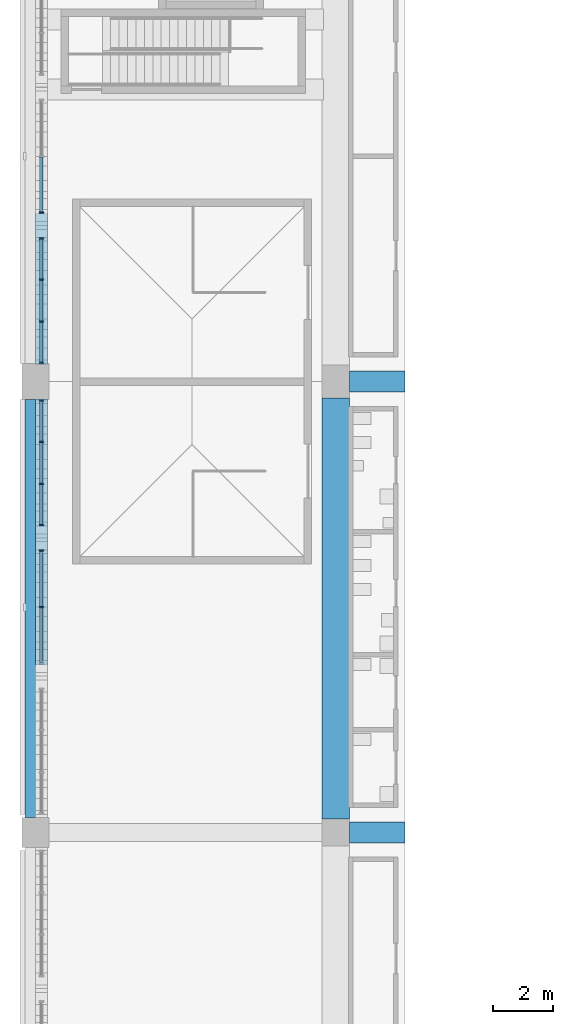
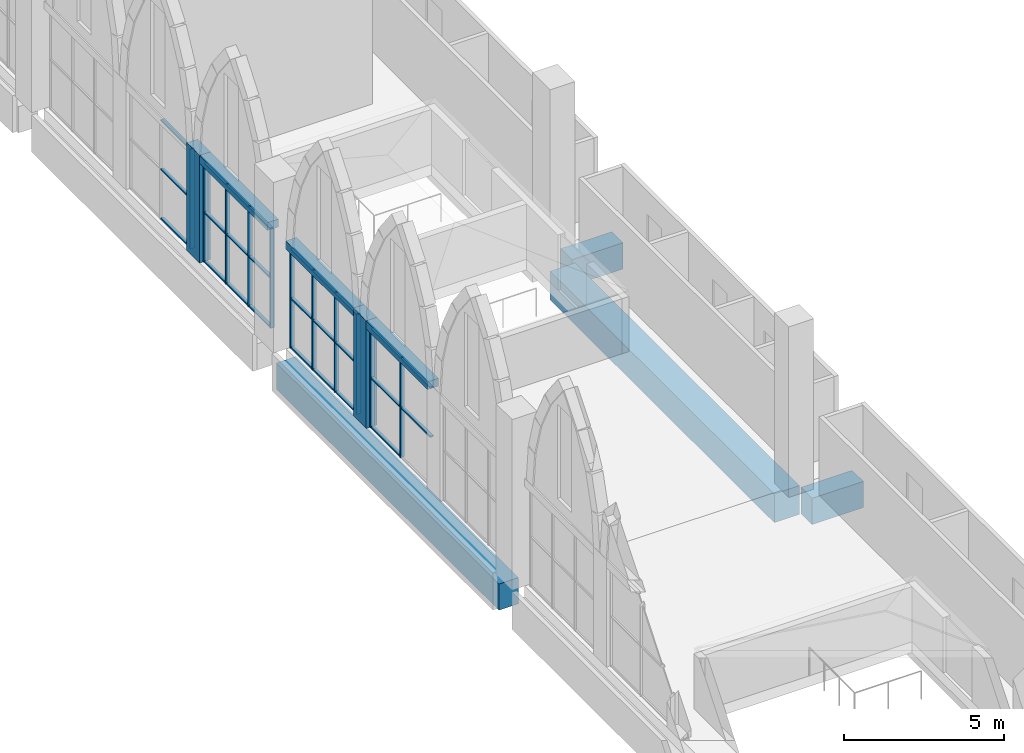
# One storey, part 14 of 130: 39 members, 7 beams, 4 elements without a shape of their own.
"""IFC4 building model written with IfcOpenShell, lengths in metres."""

import ifcopenshell
import ifcopenshell.guid

model = None  # the IFC model being written
_history = None  # IfcOwnerHistory: only IFC2X3 demands one
_inside = {}  # id of a spatial element -> (the spatial element, [elements in it])
_under = {}  # id of a project, library or spatial element -> (it, [spatial elements below it])
_declared = {}  # id of a project -> (the project, [libraries it declares])
_typed = {}  # id of a type object -> (the type object, [elements of that type])
_made_of = {}  # id of a material, layer set ... -> (it, [elements and type objects made of it])


def new_model(schema):
    """Start an empty IFC model of exactly this schema.

    Asked for "IFC4X3", IfcOpenShell would pick the latest addendum, in which some entities
    have other attributes; the version numbers below select the first issue.
    IFC2X3 requires an IfcOwnerHistory on every rooted entity: one is made here for all.
    """
    global model, _history
    if schema == "IFC4X3":
        model = ifcopenshell.file(schema_version=(4, 3, 0, 0))
    else:
        model = ifcopenshell.file(schema=schema)
    _inside.clear()
    _under.clear()
    _declared.clear()
    _typed.clear()
    _made_of.clear()
    _history = None
    if model.schema == "IFC2X3":
        org = make("IfcOrganization", Name="unknown")
        user = make(
            "IfcPersonAndOrganization",
            ThePerson=make("IfcPerson", FamilyName="unknown"),
            TheOrganization=org,
        )
        app = make(
            "IfcApplication",
            ApplicationDeveloper=org,
            Version="unknown",
            ApplicationFullName="unknown",
            ApplicationIdentifier="unknown",
        )
        _history = make(
            "IfcOwnerHistory",
            OwningUser=user,
            OwningApplication=app,
            ChangeAction="ADDED",
            CreationDate=0,
        )
    return model


def make(cls, **values):
    """One entity of the class cls with the attributes given. An attribute that is None is left unset."""
    return model.create_entity(
        cls, **{name: value for name, value in values.items() if value is not None}
    )


def rooted(cls, **values):
    """An entity with a GlobalId (a new one), such as an element, a storey or a relation."""
    return make(cls, GlobalId=ifcopenshell.guid.new(), OwnerHistory=_history, **values)


def si_unit(unit_type, name, prefix=None):
    """IfcSIUnit, for example si_unit("LENGTHUNIT", "METRE", prefix="MILLI")."""
    return make("IfcSIUnit", UnitType=unit_type, Prefix=prefix, Name=name)


def assignment(units):
    """IfcUnitAssignment: the units of a project."""
    return None if units is None else make("IfcUnitAssignment", Units=units)


def point(xyz):
    """IfcCartesianPoint."""
    return None if xyz is None else make("IfcCartesianPoint", Coordinates=xyz)


def direction(xyz):
    """IfcDirection."""
    return None if xyz is None else make("IfcDirection", DirectionRatios=xyz)


def frame(location, z_axis=None, x_axis=None):
    """IfcAxis2Placement3D, a coordinate frame: its origin and axes. An axis left out is left unset."""
    return make(
        "IfcAxis2Placement3D",
        Location=point(location),
        Axis=direction(z_axis),
        RefDirection=direction(x_axis),
    )


def frame_2d(location, x_axis=None):
    """IfcAxis2Placement2D, a coordinate frame in the plane: its origin and x axis."""
    return make(
        "IfcAxis2Placement2D", Location=point(location), RefDirection=direction(x_axis)
    )


def origin():
    """The frame at (0, 0, 0) with its axes left unset."""
    return frame((0.0, 0.0, 0.0))


def origin_2d():
    """The frame at (0, 0) in the plane with its x axis left unset."""
    return frame_2d((0.0, 0.0))


def place(relative_to, where):
    """IfcLocalPlacement: puts the frame where relative to a parent placement (None: the world)."""
    return make(
        "IfcLocalPlacement", PlacementRelTo=relative_to, RelativePlacement=where
    )


def context(
    kind, dimensions, precision=None, world=None, true_north=None, identifier=None
):
    """IfcGeometricRepresentationContext, for example the 3D "Model" context."""
    return make(
        "IfcGeometricRepresentationContext",
        ContextIdentifier=identifier,
        ContextType=kind,
        CoordinateSpaceDimension=dimensions,
        Precision=precision,
        WorldCoordinateSystem=world,
        TrueNorth=true_north,
    )


def subcontext(parent, identifier, kind, view, scale=None):
    """IfcGeometricRepresentationSubContext, for example "Body" below "Model"."""
    return make(
        "IfcGeometricRepresentationSubContext",
        ContextIdentifier=identifier,
        ContextType=kind,
        ParentContext=parent,
        TargetScale=scale,
        TargetView=view,
    )


def project(units=None, contexts=None):
    """IfcProject with its units and contexts."""
    return rooted(
        "IfcProject",
        Name="project",
        RepresentationContexts=contexts,
        UnitsInContext=assignment(units),
    )


def spatial(cls, under=None, at=None, **own):
    """A site, building, storey or space (cls), placed at a placement, below another one or the project."""
    s = rooted(cls, ObjectPlacement=at, **own)
    if under is not None:
        _under.setdefault(under.id(), (under, []))[1].append(s)
    return s


def profile(cls, at=None, kind="AREA", **sizes):
    """A parametric profile (cls). Its sizes go by their IFC names, for example OverallWidth=200.0."""
    return make(cls, ProfileType=kind, Position=at, **sizes)


def rectangle(**sizes):
    """IfcRectangleProfileDef."""
    return profile("IfcRectangleProfileDef", **sizes)


def extrude(swept, where, along, depth):
    """IfcExtrudedAreaSolid: the profile swept, set in the frame where, extruded along a direction by depth."""
    return make(
        "IfcExtrudedAreaSolid",
        SweptArea=swept,
        Position=where,
        ExtrudedDirection=direction(along),
        Depth=depth,
    )


def shape(context_of_items, identifier, shape_type, items):
    """IfcShapeRepresentation: the items that make up one representation, for example the "Body"."""
    return make(
        "IfcShapeRepresentation",
        ContextOfItems=context_of_items,
        RepresentationIdentifier=identifier,
        RepresentationType=shape_type,
        Items=items,
    )


def material(Name=None, Category=None):
    """IfcMaterial."""
    return make("IfcMaterial", Name=Name, Category=Category)


def material_profile(
    of_material, cross_section, Name=None, Category=None, Priority=None
):
    """IfcMaterialProfile: a cross section and its material."""
    return make(
        "IfcMaterialProfile",
        Name=Name,
        Material=of_material,
        Profile=cross_section,
        Priority=Priority,
        Category=Category,
    )


def profile_set(profiles, Name=None, composite=None):
    """IfcMaterialProfileSet."""
    return make(
        "IfcMaterialProfileSet",
        Name=Name,
        MaterialProfiles=profiles,
        CompositeProfile=composite,
    )


def made_of(thing, what):
    """Note that an element or type object is made of a material, layer set ...; save() writes the relation."""
    if what is not None:
        _made_of.setdefault(what.id(), (what, []))[1].append(thing)
    return thing


def type_object(cls, material=None, **own):
    """A type object (cls), such as IfcWallType, which elements share."""
    return made_of(rooted(cls, **own), material)


def element(
    cls,
    number,
    at=None,
    inside=None,
    cuts=None,
    type_object=None,
    material=None,
    context=None,
    identifier="Body",
    shape_type=None,
    held_by="IfcProductDefinitionShape",
    body=None,
    shapes=None,
    **own,
):
    """One element of the class cls, such as IfcWall. Its Tag is "e" and its number.

    at: its placement. inside: the storey or other place that contains it. cuts: it is an
    opening in that element (IfcRelVoidsElement). A single representation is given by context,
    identifier, shape_type and body (its items); several are given by shapes. held_by: the class
    of the entity that holds the representations. save() writes the other relations.
    """
    e = rooted(cls, Tag="e%d" % number, ObjectPlacement=at, **own)
    if body is not None:
        shapes = [shape(context, identifier, shape_type, body)]
    if shapes is not None:
        e.Representation = make(held_by, Representations=shapes)
    if inside is not None:
        _inside.setdefault(inside.id(), (inside, []))[1].append(e)
    if cuts is not None:
        rooted(
            "IfcRelVoidsElement", RelatingBuildingElement=cuts, RelatedOpeningElement=e
        )
    if type_object is not None:
        _typed.setdefault(type_object.id(), (type_object, []))[1].append(e)
    return made_of(e, material)


def aggregate(whole, parts):
    """IfcRelAggregates: a whole, such as a stair, and the parts it consists of."""
    return rooted("IfcRelAggregates", RelatingObject=whole, RelatedObjects=parts)


def save(model, path):
    """Write the relations noted so far, then the file.

    IfcRelAggregates (storeys below a building ...), IfcRelContainedInSpatialStructure (elements
    in a storey), IfcRelDefinesByType, IfcRelAssociatesMaterial and IfcRelDeclares: one each for
    every whole, place, type object, material and project.
    """
    for whole, parts in _under.values():
        aggregate(whole, parts)
    for where, things in _inside.values():
        rooted(
            "IfcRelContainedInSpatialStructure",
            RelatedElements=things,
            RelatingStructure=where,
        )
    for kind, things in _typed.values():
        rooted("IfcRelDefinesByType", RelatedObjects=things, RelatingType=kind)
    for what, things in _made_of.values():
        rooted("IfcRelAssociatesMaterial", RelatedObjects=things, RelatingMaterial=what)
    for by, libraries in _declared.values():
        rooted("IfcRelDeclares", RelatingContext=by, RelatedDefinitions=libraries)
    model.write(path)


model = new_model("IFC4")

# Units and contexts
model_context = context("Model", 3, precision=1e-05, world=origin(), true_north=direction((0.0, 1.0)))
body_context = subcontext(model_context, "Body", "Model", "MODEL_VIEW")
ifc_project = project(units=[si_unit("LENGTHUNIT", "METRE"), si_unit("AREAUNIT", "SQUARE_METRE"), si_unit("VOLUMEUNIT", "CUBIC_METRE"), si_unit("PLANEANGLEUNIT", "RADIAN"), si_unit("MASSUNIT", "GRAM", prefix="KILO")], contexts=[model_context])

# Site, building, storey
site_placement = place(None, origin())
site = spatial("IfcSite", under=ifc_project, at=site_placement, CompositionType="ELEMENT")
building_placement = place(site_placement, origin())
building = spatial("IfcBuilding", under=site, at=building_placement, Name="Ogive Plaza Stadium", CompositionType="ELEMENT")
storey_placement = place(building_placement, frame((0.0, 0.0, 22.5)))
storey = spatial("IfcBuildingStorey", under=building, at=storey_placement, Name="L05", CompositionType="ELEMENT", Elevation=22.5)

# Curtain wall, members
ifc_material_1 = material(Name="Bronze-anodised aluminium with laminated glass", Category="aluminium")
curtain_wall_type = type_object("IfcCurtainWallType", Name="Lancet curtain wall", PredefinedType="NOTDEFINED", material=ifc_material_1)
curtain_wall_1_placement = place(storey_placement, origin())
curtain_wall_1 = element("IfcCurtainWall", 1, at=curtain_wall_1_placement, inside=storey, type_object=curtain_wall_type, Name="CURTAIN WALL B23 L05", PredefinedType="NOTDEFINED")
ifc_material_2 = material(Name="Bronze-anodised aluminium", Category="aluminium")
ifc_material_profile_1 = material_profile(ifc_material_2, rectangle(XDim=0.14990234375, YDim=0.050048828125, at=origin_2d()), Name="AL 150x50")
ifc_profile_set_1 = profile_set([ifc_material_profile_1], Name="Bronze-anodised aluminium")
member_type_1 = type_object("IfcMemberType", Name="Curtain wall mullion 50x150", PredefinedType="MULLION", material=ifc_profile_set_1)
member_1_placement = place(storey_placement, frame((-83.800048828125, -15.0, 0.0), z_axis=(0.0, 0.0, 1.0), x_axis=(-1.0, 0.0, 0.0)))
member_1 = element("IfcMember", 2, at=member_1_placement, type_object=member_type_1, Name="CW-B23-L05.2 mullion 2", PredefinedType="MULLION", context=body_context, shape_type="SweptSolid", body=[
    extrude(rectangle(XDim=0.14990234375, YDim=0.050048828125, at=origin_2d()), origin(), (0.0, 0.0, 1.0), 3.800048828125),
])
member_2_placement = place(storey_placement, frame((-83.800048828125, -13.125, 0.0), z_axis=(0.0, 0.0, 1.0), x_axis=(-1.0, 0.0, 0.0)))
member_2 = element("IfcMember", 3, at=member_2_placement, type_object=member_type_1, Name="CW-B23-L05.2 mullion 3", PredefinedType="MULLION", context=body_context, shape_type="SweptSolid", body=[
    extrude(rectangle(XDim=0.14990234375, YDim=0.050048828125, at=origin_2d()), origin(), (0.0, 0.0, 1.0), 3.800048828125),
])

curtain_wall_2_placement = place(storey_placement, origin())
curtain_wall_2 = element("IfcCurtainWall", 4, at=curtain_wall_2_placement, inside=storey, type_object=curtain_wall_type, Name="CURTAIN WALL B23 L05", PredefinedType="NOTDEFINED")
member_3_placement = place(storey_placement, frame((-83.800048828125, -12.27490234375, 0.0), z_axis=(0.0, 0.0, 1.0), x_axis=(-1.0, 0.0, 0.0)))
member_3 = element("IfcMember", 5, at=member_3_placement, type_object=member_type_1, Name="CW-B23-L05.3 mullion 1", PredefinedType="MULLION", context=body_context, shape_type="SweptSolid", body=[
    extrude(rectangle(XDim=0.14990234375, YDim=0.050048828125, at=origin_2d()), origin(), (0.0, 0.0, 1.0), 3.800048828125),
])
member_4_placement = place(storey_placement, frame((-83.800048828125, -10.89990234375, 0.0), z_axis=(0.0, 0.0, 1.0), x_axis=(-1.0, 0.0, 0.0)))
member_4 = element("IfcMember", 6, at=member_4_placement, type_object=member_type_1, Name="CW-B23-L05.3 mullion 2", PredefinedType="MULLION", context=body_context, shape_type="SweptSolid", body=[
    extrude(rectangle(XDim=0.14990234375, YDim=0.050048828125, at=origin_2d()), origin(), (0.0, 0.0, 1.0), 3.800048828125),
])
member_5_placement = place(storey_placement, frame((-83.800048828125, -9.5, 0.0), z_axis=(0.0, 0.0, 1.0), x_axis=(-1.0, 0.0, 0.0)))
member_5 = element("IfcMember", 7, at=member_5_placement, type_object=member_type_1, Name="CW-B23-L05.3 mullion 3", PredefinedType="MULLION", context=body_context, shape_type="SweptSolid", body=[
    extrude(rectangle(XDim=0.14990234375, YDim=0.050048828125, at=origin_2d()), origin(), (0.0, 0.0, 1.0), 3.800048828125),
])
member_6_placement = place(storey_placement, frame((-83.800048828125, -8.125, 0.0), z_axis=(0.0, 0.0, 1.0), x_axis=(-1.0, 0.0, 0.0)))
member_6 = element("IfcMember", 8, at=member_6_placement, type_object=member_type_1, Name="CW-B23-L05.3 mullion 4", PredefinedType="MULLION", context=body_context, shape_type="SweptSolid", body=[
    extrude(rectangle(XDim=0.14990234375, YDim=0.050048828125, at=origin_2d()), origin(), (0.0, 0.0, 1.0), 3.800048828125),
])

curtain_wall_3_placement = place(storey_placement, origin())
curtain_wall_3 = element("IfcCurtainWall", 9, at=curtain_wall_3_placement, inside=storey, type_object=curtain_wall_type, Name="CURTAIN WALL B24 L05", PredefinedType="NOTDEFINED")
member_7_placement = place(storey_placement, frame((-83.800048828125, -6.875, 0.0), z_axis=(0.0, 0.0, 1.0), x_axis=(-1.0, 0.0, 0.0)))
member_7 = element("IfcMember", 10, at=member_7_placement, type_object=member_type_1, Name="CW-B24-L05.1 mullion 1", PredefinedType="MULLION", context=body_context, shape_type="SweptSolid", body=[
    extrude(rectangle(XDim=0.14990234375, YDim=0.050048828125, at=origin_2d()), origin(), (0.0, 0.0, 1.0), 3.800048828125),
])
member_8_placement = place(storey_placement, frame((-83.800048828125, -5.5, 0.0), z_axis=(0.0, 0.0, 1.0), x_axis=(-1.0, 0.0, 0.0)))
member_8 = element("IfcMember", 11, at=member_8_placement, type_object=member_type_1, Name="CW-B24-L05.1 mullion 2", PredefinedType="MULLION", context=body_context, shape_type="SweptSolid", body=[
    extrude(rectangle(XDim=0.14990234375, YDim=0.050048828125, at=origin_2d()), origin(), (0.0, 0.0, 1.0), 3.800048828125),
])
member_9_placement = place(storey_placement, frame((-83.800048828125, -4.10009765625, 0.0), z_axis=(0.0, 0.0, 1.0), x_axis=(-1.0, 0.0, 0.0)))
member_9 = element("IfcMember", 12, at=member_9_placement, type_object=member_type_1, Name="CW-B24-L05.1 mullion 3", PredefinedType="MULLION", context=body_context, shape_type="SweptSolid", body=[
    extrude(rectangle(XDim=0.14990234375, YDim=0.050048828125, at=origin_2d()), origin(), (0.0, 0.0, 1.0), 3.800048828125),
])
member_10_placement = place(storey_placement, frame((-83.800048828125, -2.72509765625, 0.0), z_axis=(0.0, 0.0, 1.0), x_axis=(-1.0, 0.0, 0.0)))
member_10 = element("IfcMember", 13, at=member_10_placement, type_object=member_type_1, Name="CW-B24-L05.1 mullion 4", PredefinedType="MULLION", context=body_context, shape_type="SweptSolid", body=[
    extrude(rectangle(XDim=0.14990234375, YDim=0.050048828125, at=origin_2d()), origin(), (0.0, 0.0, 1.0), 3.800048828125),
])

# Curtain wall, member
curtain_wall_4_placement = place(storey_placement, origin())
curtain_wall_4 = element("IfcCurtainWall", 14, at=curtain_wall_4_placement, inside=storey, type_object=curtain_wall_type, Name="CURTAIN WALL B24 L05", PredefinedType="NOTDEFINED")
member_11_placement = place(storey_placement, frame((-83.800048828125, -1.875, 0.0), z_axis=(0.0, 0.0, 1.0), x_axis=(-1.0, 0.0, 0.0)))
member_11 = element("IfcMember", 15, at=member_11_placement, type_object=member_type_1, Name="CW-B24-L05.2 mullion 1", PredefinedType="MULLION", context=body_context, shape_type="SweptSolid", body=[
    extrude(rectangle(XDim=0.14990234375, YDim=0.050048828125, at=origin_2d()), origin(), (0.0, 0.0, 1.0), 3.800048828125),
])

# Member
ifc_material_3 = material(Name="Bronze-anodised aluminium", Category="aluminium")
ifc_material_profile_2 = material_profile(ifc_material_3, rectangle(XDim=0.1201171875, YDim=0.050048828125, at=origin_2d()), Name="AL 120x50")
ifc_profile_set_2 = profile_set([ifc_material_profile_2], Name="Bronze-anodised aluminium")
member_type_2 = type_object("IfcMemberType", Name="Curtain wall transom 50x120", PredefinedType="USERDEFINED", material=ifc_profile_set_2)
member_12_placement = place(storey_placement, frame((-83.800048828125, -16.85009765625, 1.89990234375), z_axis=(0.0, 1.0, 0.0), x_axis=(-1.0, 0.0, 0.0)))
member_12 = element("IfcMember", 16, at=member_12_placement, type_object=member_type_2, Name="CW-B23-L05.2 transom 1.2", ObjectType="TRANSOM", PredefinedType="USERDEFINED", context=body_context, shape_type="SweptSolid", body=[
    extrude(rectangle(XDim=0.1201171875, YDim=0.050048828125, at=origin_2d()), origin(), (0.0, 0.0, 1.0), 1.8251953125),
])

member_13_placement = place(storey_placement, frame((-83.800048828125, -16.85009765625, 3.77490234375), z_axis=(0.0, 1.0, 0.0), x_axis=(-1.0, 0.0, 0.0)))
member_13 = element("IfcMember", 17, at=member_13_placement, type_object=member_type_2, Name="CW-B23-L05.2 transom 1.3", ObjectType="TRANSOM", PredefinedType="USERDEFINED", context=body_context, shape_type="SweptSolid", body=[
    extrude(rectangle(XDim=0.1201171875, YDim=0.050048828125, at=origin_2d()), origin(), (0.0, 0.0, 1.0), 1.8251953125),
])

member_14_placement = place(storey_placement, frame((-83.800048828125, -14.97509765625, 0.02490234375), z_axis=(0.0, 1.0, 0.0), x_axis=(-1.0, 0.0, 0.0)))
member_14 = element("IfcMember", 18, at=member_14_placement, type_object=member_type_2, Name="CW-B23-L05.2 transom 2.1", ObjectType="TRANSOM", PredefinedType="USERDEFINED", context=body_context, shape_type="SweptSolid", body=[
    extrude(rectangle(XDim=0.1201171875, YDim=0.050048828125, at=origin_2d()), origin(), (0.0, 0.0, 1.0), 1.8251953125),
])

member_15_placement = place(storey_placement, frame((-83.800048828125, -14.97509765625, 1.89990234375), z_axis=(0.0, 1.0, 0.0), x_axis=(-1.0, 0.0, 0.0)))
member_15 = element("IfcMember", 19, at=member_15_placement, type_object=member_type_2, Name="CW-B23-L05.2 transom 2.2", ObjectType="TRANSOM", PredefinedType="USERDEFINED", context=body_context, shape_type="SweptSolid", body=[
    extrude(rectangle(XDim=0.1201171875, YDim=0.050048828125, at=origin_2d()), origin(), (0.0, 0.0, 1.0), 1.8251953125),
])

member_16_placement = place(storey_placement, frame((-83.800048828125, -14.97509765625, 3.77490234375), z_axis=(0.0, 1.0, 0.0), x_axis=(-1.0, 0.0, 0.0)))
member_16 = element("IfcMember", 20, at=member_16_placement, type_object=member_type_2, Name="CW-B23-L05.2 transom 2.3", ObjectType="TRANSOM", PredefinedType="USERDEFINED", context=body_context, shape_type="SweptSolid", body=[
    extrude(rectangle(XDim=0.1201171875, YDim=0.050048828125, at=origin_2d()), origin(), (0.0, 0.0, 1.0), 1.8251953125),
])

aggregate(curtain_wall_1, [member_1, member_2, member_12, member_13, member_14, member_15, member_16])

member_17_placement = place(storey_placement, frame((-83.800048828125, -12.25, 0.02490234375), z_axis=(0.0, 1.0, 0.0), x_axis=(-1.0, 0.0, 0.0)))
member_17 = element("IfcMember", 21, at=member_17_placement, type_object=member_type_2, Name="CW-B23-L05.3 transom 1.1", ObjectType="TRANSOM", PredefinedType="USERDEFINED", context=body_context, shape_type="SweptSolid", body=[
    extrude(rectangle(XDim=0.1201171875, YDim=0.050048828125, at=origin_2d()), origin(), (0.0, 0.0, 1.0), 1.324951171875),
])

member_18_placement = place(storey_placement, frame((-83.800048828125, -12.25, 1.89990234375), z_axis=(0.0, 1.0, 0.0), x_axis=(-1.0, 0.0, 0.0)))
member_18 = element("IfcMember", 22, at=member_18_placement, type_object=member_type_2, Name="CW-B23-L05.3 transom 1.2", ObjectType="TRANSOM", PredefinedType="USERDEFINED", context=body_context, shape_type="SweptSolid", body=[
    extrude(rectangle(XDim=0.1201171875, YDim=0.050048828125, at=origin_2d()), origin(), (0.0, 0.0, 1.0), 1.324951171875),
])

member_19_placement = place(storey_placement, frame((-83.800048828125, -12.25, 3.77490234375), z_axis=(0.0, 1.0, 0.0), x_axis=(-1.0, 0.0, 0.0)))
member_19 = element("IfcMember", 23, at=member_19_placement, type_object=member_type_2, Name="CW-B23-L05.3 transom 1.3", ObjectType="TRANSOM", PredefinedType="USERDEFINED", context=body_context, shape_type="SweptSolid", body=[
    extrude(rectangle(XDim=0.1201171875, YDim=0.050048828125, at=origin_2d()), origin(), (0.0, 0.0, 1.0), 1.324951171875),
])

member_20_placement = place(storey_placement, frame((-83.800048828125, -10.875, 0.02490234375), z_axis=(0.0, 1.0, 0.0), x_axis=(-1.0, 0.0, 0.0)))
member_20 = element("IfcMember", 24, at=member_20_placement, type_object=member_type_2, Name="CW-B23-L05.3 transom 2.1", ObjectType="TRANSOM", PredefinedType="USERDEFINED", context=body_context, shape_type="SweptSolid", body=[
    extrude(rectangle(XDim=0.1201171875, YDim=0.050048828125, at=origin_2d()), origin(), (0.0, 0.0, 1.0), 1.35009765625),
])

member_21_placement = place(storey_placement, frame((-83.800048828125, -10.875, 1.89990234375), z_axis=(0.0, 1.0, 0.0), x_axis=(-1.0, 0.0, 0.0)))
member_21 = element("IfcMember", 25, at=member_21_placement, type_object=member_type_2, Name="CW-B23-L05.3 transom 2.2", ObjectType="TRANSOM", PredefinedType="USERDEFINED", context=body_context, shape_type="SweptSolid", body=[
    extrude(rectangle(XDim=0.1201171875, YDim=0.050048828125, at=origin_2d()), origin(), (0.0, 0.0, 1.0), 1.35009765625),
])

member_22_placement = place(storey_placement, frame((-83.800048828125, -10.875, 3.77490234375), z_axis=(0.0, 1.0, 0.0), x_axis=(-1.0, 0.0, 0.0)))
member_22 = element("IfcMember", 26, at=member_22_placement, type_object=member_type_2, Name="CW-B23-L05.3 transom 2.3", ObjectType="TRANSOM", PredefinedType="USERDEFINED", context=body_context, shape_type="SweptSolid", body=[
    extrude(rectangle(XDim=0.1201171875, YDim=0.050048828125, at=origin_2d()), origin(), (0.0, 0.0, 1.0), 1.35009765625),
])

member_23_placement = place(storey_placement, frame((-83.800048828125, -9.47509765625, 0.02490234375), z_axis=(0.0, 1.0, 0.0), x_axis=(-1.0, 0.0, 0.0)))
member_23 = element("IfcMember", 27, at=member_23_placement, type_object=member_type_2, Name="CW-B23-L05.3 transom 3.1", ObjectType="TRANSOM", PredefinedType="USERDEFINED", context=body_context, shape_type="SweptSolid", body=[
    extrude(rectangle(XDim=0.1201171875, YDim=0.050048828125, at=origin_2d()), origin(), (0.0, 0.0, 1.0), 1.3251953125),
])

member_24_placement = place(storey_placement, frame((-83.800048828125, -9.47509765625, 1.89990234375), z_axis=(0.0, 1.0, 0.0), x_axis=(-1.0, 0.0, 0.0)))
member_24 = element("IfcMember", 28, at=member_24_placement, type_object=member_type_2, Name="CW-B23-L05.3 transom 3.2", ObjectType="TRANSOM", PredefinedType="USERDEFINED", context=body_context, shape_type="SweptSolid", body=[
    extrude(rectangle(XDim=0.1201171875, YDim=0.050048828125, at=origin_2d()), origin(), (0.0, 0.0, 1.0), 1.3251953125),
])

member_25_placement = place(storey_placement, frame((-83.800048828125, -9.47509765625, 3.77490234375), z_axis=(0.0, 1.0, 0.0), x_axis=(-1.0, 0.0, 0.0)))
member_25 = element("IfcMember", 29, at=member_25_placement, type_object=member_type_2, Name="CW-B23-L05.3 transom 3.3", ObjectType="TRANSOM", PredefinedType="USERDEFINED", context=body_context, shape_type="SweptSolid", body=[
    extrude(rectangle(XDim=0.1201171875, YDim=0.050048828125, at=origin_2d()), origin(), (0.0, 0.0, 1.0), 1.3251953125),
])

aggregate(curtain_wall_2, [member_3, member_4, member_5, member_6, member_17, member_18, member_19, member_20, member_21, member_22, member_23, member_24, member_25])

member_26_placement = place(storey_placement, frame((-83.800048828125, -6.85009765625, 0.02490234375), z_axis=(0.0, 1.0, 0.0), x_axis=(-1.0, 0.0, 0.0)))
member_26 = element("IfcMember", 30, at=member_26_placement, type_object=member_type_2, Name="CW-B24-L05.1 transom 1.1", ObjectType="TRANSOM", PredefinedType="USERDEFINED", context=body_context, shape_type="SweptSolid", body=[
    extrude(rectangle(XDim=0.1201171875, YDim=0.050048828125, at=origin_2d()), origin(), (0.0, 0.0, 1.0), 1.3251953125),
])

member_27_placement = place(storey_placement, frame((-83.800048828125, -6.85009765625, 1.89990234375), z_axis=(0.0, 1.0, 0.0), x_axis=(-1.0, 0.0, 0.0)))
member_27 = element("IfcMember", 31, at=member_27_placement, type_object=member_type_2, Name="CW-B24-L05.1 transom 1.2", ObjectType="TRANSOM", PredefinedType="USERDEFINED", context=body_context, shape_type="SweptSolid", body=[
    extrude(rectangle(XDim=0.1201171875, YDim=0.050048828125, at=origin_2d()), origin(), (0.0, 0.0, 1.0), 1.3251953125),
])

member_28_placement = place(storey_placement, frame((-83.800048828125, -6.85009765625, 3.77490234375), z_axis=(0.0, 1.0, 0.0), x_axis=(-1.0, 0.0, 0.0)))
member_28 = element("IfcMember", 32, at=member_28_placement, type_object=member_type_2, Name="CW-B24-L05.1 transom 1.3", ObjectType="TRANSOM", PredefinedType="USERDEFINED", context=body_context, shape_type="SweptSolid", body=[
    extrude(rectangle(XDim=0.1201171875, YDim=0.050048828125, at=origin_2d()), origin(), (0.0, 0.0, 1.0), 1.3251953125),
])

member_29_placement = place(storey_placement, frame((-83.800048828125, -5.47509765625, 0.02490234375), z_axis=(0.0, 1.0, 0.0), x_axis=(-1.0, 0.0, 0.0)))
member_29 = element("IfcMember", 33, at=member_29_placement, type_object=member_type_2, Name="CW-B24-L05.1 transom 2.1", ObjectType="TRANSOM", PredefinedType="USERDEFINED", context=body_context, shape_type="SweptSolid", body=[
    extrude(rectangle(XDim=0.1201171875, YDim=0.050048828125, at=origin_2d()), origin(), (0.0, 0.0, 1.0), 1.35009765625),
])

member_30_placement = place(storey_placement, frame((-83.800048828125, -5.47509765625, 1.89990234375), z_axis=(0.0, 1.0, 0.0), x_axis=(-1.0, 0.0, 0.0)))
member_30 = element("IfcMember", 34, at=member_30_placement, type_object=member_type_2, Name="CW-B24-L05.1 transom 2.2", ObjectType="TRANSOM", PredefinedType="USERDEFINED", context=body_context, shape_type="SweptSolid", body=[
    extrude(rectangle(XDim=0.1201171875, YDim=0.050048828125, at=origin_2d()), origin(), (0.0, 0.0, 1.0), 1.35009765625),
])

member_31_placement = place(storey_placement, frame((-83.800048828125, -5.47509765625, 3.77490234375), z_axis=(0.0, 1.0, 0.0), x_axis=(-1.0, 0.0, 0.0)))
member_31 = element("IfcMember", 35, at=member_31_placement, type_object=member_type_2, Name="CW-B24-L05.1 transom 2.3", ObjectType="TRANSOM", PredefinedType="USERDEFINED", context=body_context, shape_type="SweptSolid", body=[
    extrude(rectangle(XDim=0.1201171875, YDim=0.050048828125, at=origin_2d()), origin(), (0.0, 0.0, 1.0), 1.35009765625),
])

member_32_placement = place(storey_placement, frame((-83.800048828125, -4.074951171875, 0.02490234375), z_axis=(0.0, 1.0, 0.0), x_axis=(-1.0, 0.0, 0.0)))
member_32 = element("IfcMember", 36, at=member_32_placement, type_object=member_type_2, Name="CW-B24-L05.1 transom 3.1", ObjectType="TRANSOM", PredefinedType="USERDEFINED", context=body_context, shape_type="SweptSolid", body=[
    extrude(rectangle(XDim=0.1201171875, YDim=0.050048828125, at=origin_2d()), origin(), (0.0, 0.0, 1.0), 1.324951171875),
])

member_33_placement = place(storey_placement, frame((-83.800048828125, -4.074951171875, 1.89990234375), z_axis=(0.0, 1.0, 0.0), x_axis=(-1.0, 0.0, 0.0)))
member_33 = element("IfcMember", 37, at=member_33_placement, type_object=member_type_2, Name="CW-B24-L05.1 transom 3.2", ObjectType="TRANSOM", PredefinedType="USERDEFINED", context=body_context, shape_type="SweptSolid", body=[
    extrude(rectangle(XDim=0.1201171875, YDim=0.050048828125, at=origin_2d()), origin(), (0.0, 0.0, 1.0), 1.324951171875),
])

member_34_placement = place(storey_placement, frame((-83.800048828125, -4.074951171875, 3.77490234375), z_axis=(0.0, 1.0, 0.0), x_axis=(-1.0, 0.0, 0.0)))
member_34 = element("IfcMember", 38, at=member_34_placement, type_object=member_type_2, Name="CW-B24-L05.1 transom 3.3", ObjectType="TRANSOM", PredefinedType="USERDEFINED", context=body_context, shape_type="SweptSolid", body=[
    extrude(rectangle(XDim=0.1201171875, YDim=0.050048828125, at=origin_2d()), origin(), (0.0, 0.0, 1.0), 1.324951171875),
])

aggregate(curtain_wall_3, [member_7, member_8, member_9, member_10, member_26, member_27, member_28, member_29, member_30, member_31, member_32, member_33, member_34])

member_35_placement = place(storey_placement, frame((-83.800048828125, -1.85009765625, 0.02490234375), z_axis=(0.0, 1.0, 0.0), x_axis=(-1.0, 0.0, 0.0)))
member_35 = element("IfcMember", 39, at=member_35_placement, type_object=member_type_2, Name="CW-B24-L05.2 transom 1.1", ObjectType="TRANSOM", PredefinedType="USERDEFINED", context=body_context, shape_type="SweptSolid", body=[
    extrude(rectangle(XDim=0.1201171875, YDim=0.050048828125, at=origin_2d()), origin(), (0.0, 0.0, 1.0), 1.8251953125),
])

member_36_placement = place(storey_placement, frame((-83.800048828125, -1.85009765625, 1.89990234375), z_axis=(0.0, 1.0, 0.0), x_axis=(-1.0, 0.0, 0.0)))
member_36 = element("IfcMember", 40, at=member_36_placement, type_object=member_type_2, Name="CW-B24-L05.2 transom 1.2", ObjectType="TRANSOM", PredefinedType="USERDEFINED", context=body_context, shape_type="SweptSolid", body=[
    extrude(rectangle(XDim=0.1201171875, YDim=0.050048828125, at=origin_2d()), origin(), (0.0, 0.0, 1.0), 1.8251953125),
])

member_37_placement = place(storey_placement, frame((-83.800048828125, -1.85009765625, 3.77490234375), z_axis=(0.0, 1.0, 0.0), x_axis=(-1.0, 0.0, 0.0)))
member_37 = element("IfcMember", 41, at=member_37_placement, type_object=member_type_2, Name="CW-B24-L05.2 transom 1.3", ObjectType="TRANSOM", PredefinedType="USERDEFINED", context=body_context, shape_type="SweptSolid", body=[
    extrude(rectangle(XDim=0.1201171875, YDim=0.050048828125, at=origin_2d()), origin(), (0.0, 0.0, 1.0), 1.8251953125),
])

aggregate(curtain_wall_4, [member_11, member_35, member_36, member_37])

# Members
ifc_material_4 = material(Name="Concrete C45/55 precast", Category="concrete")
ifc_material_profile_3 = material_profile(ifc_material_4, rectangle(XDim=0.39990234375, YDim=0.800048828125, at=origin_2d()), Name="RC 400x800")
ifc_profile_set_3 = profile_set([ifc_material_profile_3], Name="Concrete C45/55 precast")
member_type_3 = type_object("IfcMemberType", Name="Precast colonette 800x400", PredefinedType="POST", material=ifc_profile_set_3)
for number, where, z_axis, x_axis, name in (
    (42, (-83.800048828125, -12.699951171875, 0.0), (0.0, 0.0, 1.0), (-1.0, 0.0, 0.0), "COLONETTE B23 2"),
    (43, (-83.800048828125, -2.300048828125, 0.0), (0.0, 0.0, 1.0), (-1.0, 0.0, 0.0), "COLONETTE B24 1"),
):
    element("IfcMember", number, at=place(storey_placement, frame(where, z_axis=z_axis, x_axis=x_axis)), inside=storey, type_object=member_type_3, Name=name, PredefinedType="POST", context=body_context, shape_type="SweptSolid", body=[
        extrude(rectangle(XDim=0.39990234375, YDim=0.800048828125, at=origin_2d()), origin(), (0.0, 0.0, 1.0), 4.10009765625),
    ])

# Beams
ifc_material_5 = material(Name="Concrete C45/55 precast", Category="concrete")
ifc_material_profile_4 = material_profile(ifc_material_5, rectangle(XDim=0.39990234375, YDim=0.300048828125, at=origin_2d()), Name="RC 400x300")
ifc_profile_set_4 = profile_set([ifc_material_profile_4], Name="Concrete C45/55 precast")
beam_type_1 = type_object("IfcBeamType", Name="Precast tympanum lintel 400x300", PredefinedType="BEAM", material=ifc_profile_set_4)
beam_1_placement = place(storey_placement, frame((-83.800048828125, -16.929931640625, 3.949951171875), z_axis=(0.0, 1.0, 0.0), x_axis=(-1.0, 0.0, 0.0)))
element("IfcBeam", 44, at=beam_1_placement, inside=storey, type_object=beam_type_1, Name="TYMPANUM LINTEL B23 2", PredefinedType="BEAM", context=body_context, shape_type="SweptSolid", body=[
    extrude(rectangle(XDim=0.39990234375, YDim=0.300048828125, at=origin_2d()), origin(), (0.0, 0.0, 1.0), 3.85986328125),
])
for number, where, z_axis, x_axis, name in (
    (45, (-83.800048828125, -12.330078125, 3.949951171875), (0.0, 1.0, 0.0), (-1.0, 0.0, 0.0), "TYMPANUM LINTEL B23 3"),
    (46, (-83.800048828125, -6.929931640625, 3.949951171875), (0.0, 1.0, 0.0), (-1.0, 0.0, 0.0), "TYMPANUM LINTEL B24 1"),
):
    element("IfcBeam", number, at=place(storey_placement, frame(where, z_axis=z_axis, x_axis=x_axis)), inside=storey, type_object=beam_type_1, Name=name, PredefinedType="BEAM", context=body_context, shape_type="SweptSolid", body=[
        extrude(rectangle(XDim=0.39990234375, YDim=0.300048828125, at=origin_2d()), origin(), (0.0, 0.0, 1.0), 4.260009765625),
    ])
ifc_material_6 = material(Name="Concrete C40/50", Category="concrete")
ifc_material_profile_5 = material_profile(ifc_material_6, rectangle(XDim=0.699951171875, YDim=1.0, at=origin_2d()), Name="RC 700x1000")
ifc_profile_set_5 = profile_set([ifc_material_profile_5], Name="Concrete C40/50")
beam_type_2 = type_object("IfcBeamType", Name="RC radial beam 700x1000", PredefinedType="BEAM", material=ifc_profile_set_5)
for number, where, z_axis, x_axis, name in (
    (47, (-71.699951171875, -22.5, -0.909912109375), (-1.0, 0.0, 0.0), (0.0, -1.0, 0.0), "Raker tail beam UT R23"),
    (48, (-71.699951171875, -7.5, -0.909912109375), (-1.0, 0.0, 0.0), (0.0, -1.0, 0.0), "Raker tail beam UT R24"),
):
    element("IfcBeam", number, at=place(storey_placement, frame(where, z_axis=z_axis, x_axis=x_axis)), inside=storey, type_object=beam_type_2, Name=name, PredefinedType="BEAM", context=body_context, shape_type="SweptSolid", body=[
        extrude(rectangle(XDim=0.699951171875, YDim=1.0, at=origin_2d()), origin(), (0.0, 0.0, 1.0), 1.85009765625),
    ])
ifc_material_7 = material(Name="Concrete C40/50", Category="concrete")
ifc_material_profile_6 = material_profile(ifc_material_7, rectangle(XDim=0.89990234375, YDim=1.10009765625, at=origin_2d()), Name="RC 900x1100")
ifc_profile_set_6 = profile_set([ifc_material_profile_6], Name="Concrete C40/50")
beam_type_3 = type_object("IfcBeamType", Name="RC ring beam 900x1100", PredefinedType="BEAM", material=ifc_profile_set_6)
beam_2_placement = place(storey_placement, frame((-74.0, -22.050048828125, -0.9599609375), z_axis=(0.0, 1.0, 0.0), x_axis=(-1.0, 0.0, 0.0)))
element("IfcBeam", 49, at=beam_2_placement, inside=storey, type_object=beam_type_3, Name="Ring beam F4 L05 B23", PredefinedType="BEAM", context=body_context, shape_type="SweptSolid", body=[
    extrude(rectangle(XDim=0.89990234375, YDim=1.10009765625, at=origin_2d()), origin(), (0.0, 0.0, 1.0), 14.0),
])
ifc_material_8 = material(Name="Concrete C40/50", Category="concrete")
ifc_material_profile_7 = material_profile(ifc_material_8, rectangle(XDim=0.699951171875, YDim=1.0, at=origin_2d()), Name="RC 700x1000")
ifc_profile_set_7 = profile_set([ifc_material_profile_7], Name="Concrete C40/50")
beam_type_4 = type_object("IfcBeamType", Name="RC spandrel beam 700x1000", PredefinedType="SPANDREL", material=ifc_profile_set_7)
beam_3_placement = place(storey_placement, frame((-84.0, -22.0, -0.909912109375), z_axis=(0.0, 1.0, 0.0), x_axis=(-1.0, 0.0, 0.0)))
element("IfcBeam", 50, at=beam_3_placement, inside=storey, type_object=beam_type_4, Name="Ring beam F5 L05 B23", PredefinedType="SPANDREL", context=body_context, shape_type="SweptSolid", body=[
    extrude(rectangle(XDim=0.699951171875, YDim=1.0, at=origin_2d()), origin(), (0.0, 0.0, 1.0), 13.89990234375),
])

save(model, "model.ifc")
